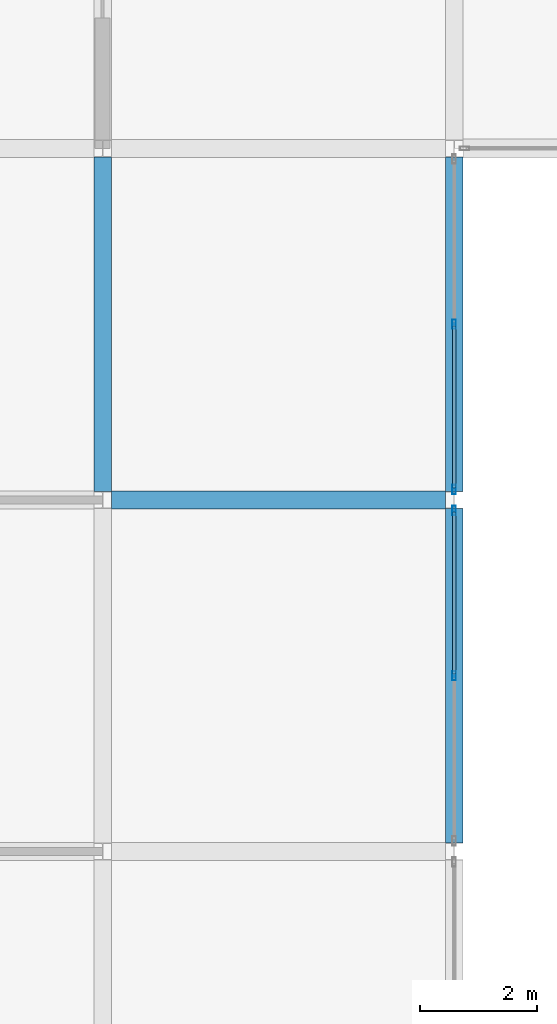
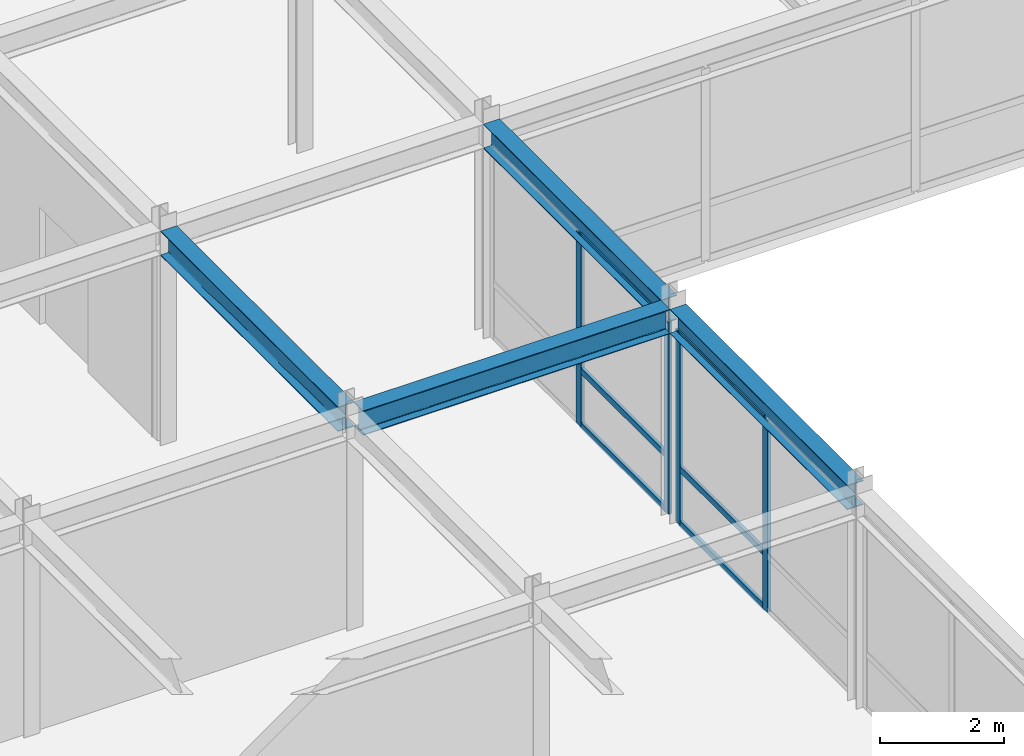
# One storey, part 66 of 108: 10 members, 4 beams, 2 elements without a shape of their own.
"""IFC4 building model written with IfcOpenShell, lengths in metres."""

from ifc_helpers import new_model, si_unit, direction, frame, origin, origin_2d, place, context, subcontext, project, spatial, hollow_rectangle, i_section, extrude, material, layer, layer_set, material_profile, profile_set, type_object, element, aggregate, save


model = new_model("IFC4")

# Units and contexts
model_context = context("Model", 3, precision=1e-05, world=origin(), true_north=direction((0.0, 1.0)))
body_context = subcontext(model_context, "Body", "Model", "MODEL_VIEW")
ifc_project = project(units=[si_unit("LENGTHUNIT", "METRE"), si_unit("AREAUNIT", "SQUARE_METRE"), si_unit("VOLUMEUNIT", "CUBIC_METRE"), si_unit("PLANEANGLEUNIT", "RADIAN"), si_unit("MASSUNIT", "GRAM", prefix="KILO")], contexts=[model_context])

# Site, building, storey
site_placement = place(None, origin())
site = spatial("IfcSite", under=ifc_project, at=site_placement, CompositionType="ELEMENT")
building_placement = place(site_placement, origin())
building = spatial("IfcBuilding", under=site, at=building_placement, Name="Zlatovratsky Civic Hall", CompositionType="ELEMENT")
storey_placement = place(building_placement, frame((0.0, 0.0, 12.0)))
storey = spatial("IfcBuildingStorey", under=building, at=storey_placement, Name="L03", CompositionType="ELEMENT", Elevation=12.0)

# Beams
ifc_material_1 = material(Name="Steel S355", Category="steel")
ifc_material_profile_1 = material_profile(ifc_material_1, i_section(OverallWidth=0.300048828125, OverallDepth=0.48193359375, WebThickness=0.010986328125, FlangeThickness=0.014892578125, FilletRadius=0.02392578125, at=origin_2d()), Name="50Sh1")
ifc_profile_set_1 = profile_set([ifc_material_profile_1], Name="Steel S355")
beam_type = type_object("IfcBeamType", Name="Beam_LibraryGirder_50Sh1", PredefinedType="BEAM", material=ifc_profile_set_1)
beam_placement = place(storey_placement, frame((114.1494140625, 60.0, 3.97900390625), z_axis=(1.0, 0.0, 0.0), x_axis=(0.0, 1.0, 0.0)))
element("IfcBeam", 1, at=beam_placement, inside=storey, type_object=beam_type, Name="BM-2602", PredefinedType="BEAM", context=body_context, shape_type="SweptSolid", body=[
    extrude(i_section(OverallWidth=0.300048828125, OverallDepth=0.48193359375, WebThickness=0.010986328125, FlangeThickness=0.014892578125, FilletRadius=0.02392578125, at=origin_2d()), origin(), (0.0, 0.0, 1.0), 5.701171875),
])
for number, where, z_axis, x_axis, name in (
    (2, (114.0, 60.14794921875, 3.97900390625), (0.0, 1.0, 0.0), (-1.0, 0.0, 0.0), "BM-3021"),
    (3, (120.0, 54.14794921875, 3.97900390625), (0.0, 1.0, 0.0), (-1.0, 0.0, 0.0), "BM-3037"),
    (4, (120.0, 60.14794921875, 3.97900390625), (0.0, 1.0, 0.0), (-1.0, 0.0, 0.0), "BM-3038"),
):
    element("IfcBeam", number, at=place(storey_placement, frame(where, z_axis=z_axis, x_axis=x_axis)), inside=storey, type_object=beam_type, Name=name, PredefinedType="BEAM", context=body_context, shape_type="SweptSolid", body=[
        extrude(i_section(OverallWidth=0.300048828125, OverallDepth=0.48193359375, WebThickness=0.010986328125, FlangeThickness=0.014892578125, FilletRadius=0.02392578125, at=origin_2d()), origin(), (0.0, 0.0, 1.0), 5.7041015625),
    ])

# Curtain wall, members
ifc_material_2 = material(Name="Anodised bronze aluminium", Category="aluminium")
ifc_layer = layer(ifc_material_2, 0.159912109375)
ifc_layer_set = layer_set([ifc_layer], Name="Anodised bronze aluminium")
curtain_wall_type = type_object("IfcCurtainWallType", Name="CurtainWall_Bronze_5700x3770_12", PredefinedType="NOTDEFINED", material=ifc_layer_set)
curtain_wall_1_placement = place(storey_placement, origin())
curtain_wall_1 = element("IfcCurtainWall", 5, at=curtain_wall_1_placement, inside=storey, type_object=curtain_wall_type, Name="CW-079", PredefinedType="NOTDEFINED")
ifc_material_profile_2 = material_profile(ifc_material_2, hollow_rectangle(XDim=0.06005859375, YDim=0.159912109375, WallThickness=0.00390625, at=origin_2d()), Name="ALU 60x160x4")
ifc_profile_set_2 = profile_set([ifc_material_profile_2], Name="Anodised bronze aluminium")
member_type_1 = type_object("IfcMemberType", Name="CW_Mullion_60x160", PredefinedType="MULLION", material=ifc_profile_set_2)
member_1_placement = place(storey_placement, frame((120.0, 57.0, 0.0), z_axis=(0.0, 0.0, 1.0), x_axis=(-1.0, 0.0, 0.0)))
member_1 = element("IfcMember", 6, at=member_1_placement, type_object=member_type_1, Name="CW-12 mullion 2", PredefinedType="MULLION", context=body_context, shape_type="SweptSolid", body=[
    extrude(hollow_rectangle(XDim=0.06005859375, YDim=0.159912109375, WallThickness=0.00390625, at=origin_2d()), origin(), (0.0, 0.0, 1.0), 3.77001953125),
])
member_2_placement = place(storey_placement, frame((120.0, 59.822021484375, 0.0), z_axis=(0.0, 0.0, 1.0), x_axis=(-1.0, 0.0, 0.0)))
member_2 = element("IfcMember", 7, at=member_2_placement, type_object=member_type_1, Name="CW-12 mullion 3", PredefinedType="MULLION", context=body_context, shape_type="SweptSolid", body=[
    extrude(hollow_rectangle(XDim=0.06005859375, YDim=0.159912109375, WallThickness=0.00390625, at=origin_2d()), origin(), (0.0, 0.0, 1.0), 3.77001953125),
])

curtain_wall_2_placement = place(storey_placement, origin())
curtain_wall_2 = element("IfcCurtainWall", 8, at=curtain_wall_2_placement, inside=storey, type_object=curtain_wall_type, Name="CW-080", PredefinedType="NOTDEFINED")
member_3_placement = place(storey_placement, frame((120.0, 60.177978515625, 0.0), z_axis=(0.0, 0.0, 1.0), x_axis=(-1.0, 0.0, 0.0)))
member_3 = element("IfcMember", 9, at=member_3_placement, type_object=member_type_1, Name="CW-12 mullion 1", PredefinedType="MULLION", context=body_context, shape_type="SweptSolid", body=[
    extrude(hollow_rectangle(XDim=0.06005859375, YDim=0.159912109375, WallThickness=0.00390625, at=origin_2d()), origin(), (0.0, 0.0, 1.0), 3.77001953125),
])
member_4_placement = place(storey_placement, frame((120.0, 63.0, 0.0), z_axis=(0.0, 0.0, 1.0), x_axis=(-1.0, 0.0, 0.0)))
member_4 = element("IfcMember", 10, at=member_4_placement, type_object=member_type_1, Name="CW-12 mullion 2", PredefinedType="MULLION", context=body_context, shape_type="SweptSolid", body=[
    extrude(hollow_rectangle(XDim=0.06005859375, YDim=0.159912109375, WallThickness=0.00390625, at=origin_2d()), origin(), (0.0, 0.0, 1.0), 3.77001953125),
])

# Member
ifc_material_profile_3 = material_profile(ifc_material_2, hollow_rectangle(XDim=0.06005859375, YDim=0.1201171875, WallThickness=0.00390625, at=origin_2d()), Name="ALU 60x120x4")
ifc_profile_set_3 = profile_set([ifc_material_profile_3], Name="Anodised bronze aluminium")
member_type_2 = type_object("IfcMemberType", Name="CW_Transom_60x120", PredefinedType="USERDEFINED", material=ifc_profile_set_3)
member_5_placement = place(storey_placement, frame((120.0, 57.030029296875, 0.030029296875), z_axis=(0.0, 1.0, 0.0), x_axis=(-1.0, 0.0, 0.0)))
member_5 = element("IfcMember", 11, at=member_5_placement, type_object=member_type_2, Name="CW-12 transom 2.1", ObjectType="TRANSOM", PredefinedType="USERDEFINED", context=body_context, shape_type="SweptSolid", body=[
    extrude(hollow_rectangle(XDim=0.06005859375, YDim=0.1201171875, WallThickness=0.00390625, at=origin_2d()), origin(), (0.0, 0.0, 1.0), 2.761962890625),
])

member_6_placement = place(storey_placement, frame((120.0, 57.030029296875, 1.10009765625), z_axis=(0.0, 1.0, 0.0), x_axis=(-1.0, 0.0, 0.0)))
member_6 = element("IfcMember", 12, at=member_6_placement, type_object=member_type_2, Name="CW-12 transom 2.2", ObjectType="TRANSOM", PredefinedType="USERDEFINED", context=body_context, shape_type="SweptSolid", body=[
    extrude(hollow_rectangle(XDim=0.06005859375, YDim=0.1201171875, WallThickness=0.00390625, at=origin_2d()), origin(), (0.0, 0.0, 1.0), 2.761962890625),
])

member_7_placement = place(storey_placement, frame((120.0, 57.030029296875, 3.739990234375), z_axis=(0.0, 1.0, 0.0), x_axis=(-1.0, 0.0, 0.0)))
member_7 = element("IfcMember", 13, at=member_7_placement, type_object=member_type_2, Name="CW-12 transom 2.3", ObjectType="TRANSOM", PredefinedType="USERDEFINED", context=body_context, shape_type="SweptSolid", body=[
    extrude(hollow_rectangle(XDim=0.06005859375, YDim=0.1201171875, WallThickness=0.00390625, at=origin_2d()), origin(), (0.0, 0.0, 1.0), 2.761962890625),
])

aggregate(curtain_wall_1, [member_1, member_2, member_5, member_6, member_7])

member_8_placement = place(storey_placement, frame((120.0, 60.2080078125, 0.030029296875), z_axis=(0.0, 1.0, 0.0), x_axis=(-1.0, 0.0, 0.0)))
member_8 = element("IfcMember", 14, at=member_8_placement, type_object=member_type_2, Name="CW-12 transom 1.1", ObjectType="TRANSOM", PredefinedType="USERDEFINED", context=body_context, shape_type="SweptSolid", body=[
    extrude(hollow_rectangle(XDim=0.06005859375, YDim=0.1201171875, WallThickness=0.00390625, at=origin_2d()), origin(), (0.0, 0.0, 1.0), 2.761962890625),
])

member_9_placement = place(storey_placement, frame((120.0, 60.2080078125, 1.10009765625), z_axis=(0.0, 1.0, 0.0), x_axis=(-1.0, 0.0, 0.0)))
member_9 = element("IfcMember", 15, at=member_9_placement, type_object=member_type_2, Name="CW-12 transom 1.2", ObjectType="TRANSOM", PredefinedType="USERDEFINED", context=body_context, shape_type="SweptSolid", body=[
    extrude(hollow_rectangle(XDim=0.06005859375, YDim=0.1201171875, WallThickness=0.00390625, at=origin_2d()), origin(), (0.0, 0.0, 1.0), 2.761962890625),
])

member_10_placement = place(storey_placement, frame((120.0, 60.2080078125, 3.739990234375), z_axis=(0.0, 1.0, 0.0), x_axis=(-1.0, 0.0, 0.0)))
member_10 = element("IfcMember", 16, at=member_10_placement, type_object=member_type_2, Name="CW-12 transom 1.3", ObjectType="TRANSOM", PredefinedType="USERDEFINED", context=body_context, shape_type="SweptSolid", body=[
    extrude(hollow_rectangle(XDim=0.06005859375, YDim=0.1201171875, WallThickness=0.00390625, at=origin_2d()), origin(), (0.0, 0.0, 1.0), 2.761962890625),
])

aggregate(curtain_wall_2, [member_3, member_4, member_8, member_9, member_10])

save(model, "model.ifc")
